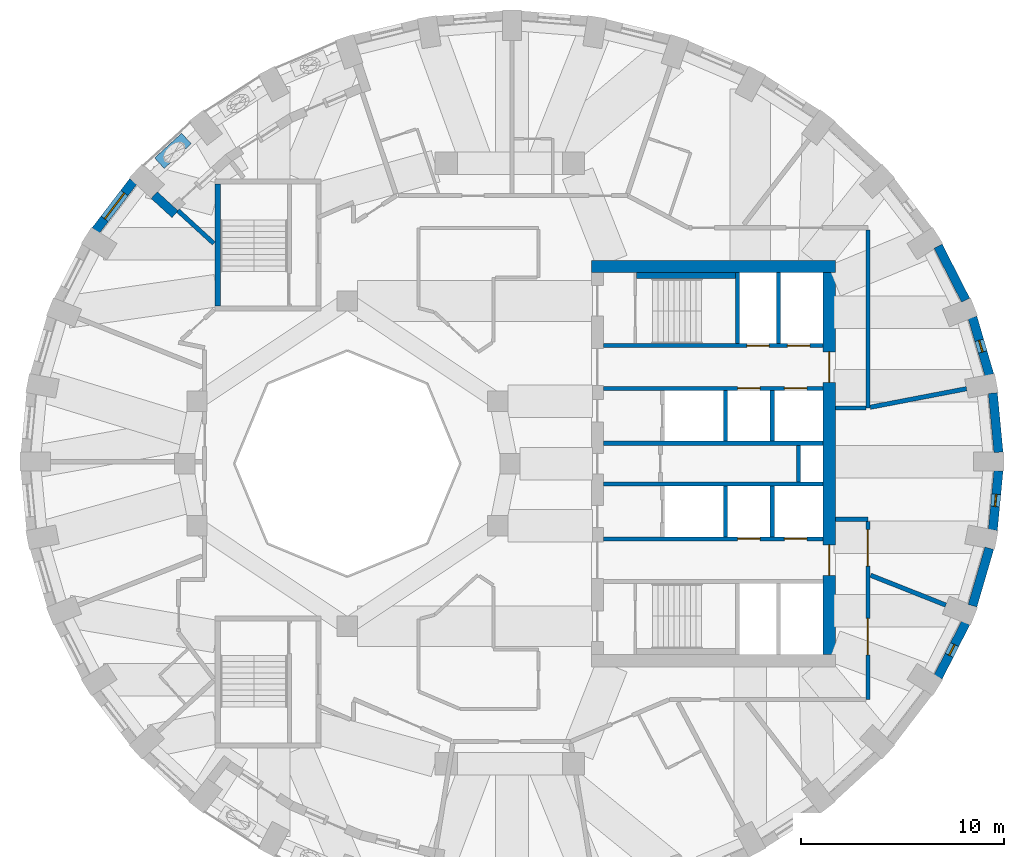
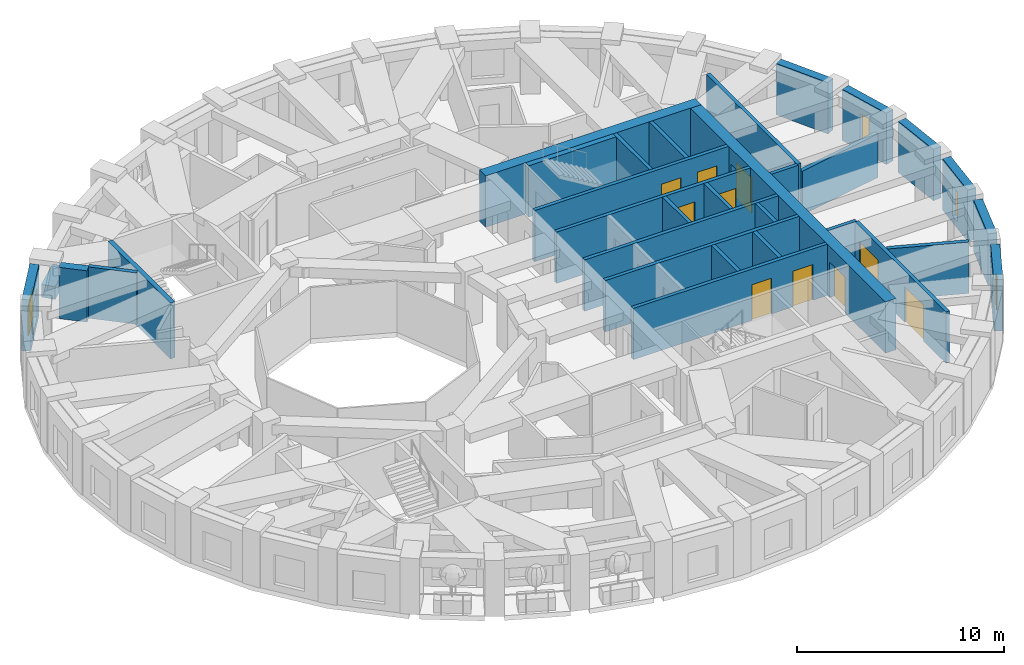
# One storey, part 6 of 12: 32 walls, 10 doors, 4 windows, 14 openings.
"""IFC4 building model written with IfcOpenShell, lengths in metres."""

from ifc_helpers import new_model, si_unit, direction, frame, frame_2d, origin, place, context, subcontext, project, spatial, rectangle, extrude, material, layer, layer_set, constituent, constituent_set, type_object, element, fill, save


model = new_model("IFC4")

# Units and contexts
model_context = context("Model", 3, precision=1e-05, world=origin(), true_north=direction((0.0, 1.0)))
body_context = subcontext(model_context, "Body", "Model", "MODEL_VIEW")
ifc_project = project(units=[si_unit("LENGTHUNIT", "METRE"), si_unit("AREAUNIT", "SQUARE_METRE"), si_unit("VOLUMEUNIT", "CUBIC_METRE"), si_unit("PLANEANGLEUNIT", "RADIAN"), si_unit("MASSUNIT", "GRAM", prefix="KILO")], contexts=[model_context])

# Site, building, storey
site_placement = place(None, origin())
site = spatial("IfcSite", under=ifc_project, at=site_placement, CompositionType="ELEMENT")
building_placement = place(site_placement, origin())
building = spatial("IfcBuilding", under=site, at=building_placement, Name="Taillehof Tower", CompositionType="ELEMENT")
storey_placement = place(building_placement, frame((0.0, 0.0, 164.89990234375)))
storey = spatial("IfcBuildingStorey", under=building, at=storey_placement, Name="L46", CompositionType="ELEMENT", Elevation=164.89990234375)

# Wall
ifc_material_1 = material(Name="Brick masonry", Category="masonry")
ifc_layer_1 = layer(ifc_material_1, 0.449951171875)
ifc_layer_set_1 = layer_set([ifc_layer_1], Name="Brick infill wall 450")
wall_type_1 = type_object("IfcWallType", Name="Brick infill wall 450", PredefinedType="SOLIDWALL", material=ifc_layer_set_1)
wall_1_placement = place(storey_placement, frame((24.030517578125, 0.55517578125, 0.0), z_axis=(0.0, 0.0, 1.0), x_axis=(-0.095265737322, 0.995451876935, 0.0)))
element("IfcWall", 1, at=wall_1_placement, inside=storey, type_object=wall_type_1, Name="Brick wall L46 bay 1", PredefinedType="SOLIDWALL", context=body_context, shape_type="SweptSolid", body=[
    extrude(rectangle(XDim=2.9267578125, YDim=0.449951171875, at=frame_2d((1.46337890625, 0.0))), origin(), (0.0, 0.0, 1.0), 3.02001953125),
])

# Wall, opening, window
wall_2_placement = place(storey_placement, frame((23.579833984375, 4.3623046875, 0.0), z_axis=(0.0, 0.0, 1.0), x_axis=(-0.281049481624, 0.959693278542, 0.0)))
wall_2 = element("IfcWall", 2, at=wall_2_placement, inside=storey, type_object=wall_type_1, Name="Brick wall L46 bay 2", PredefinedType="SOLIDWALL", context=body_context, shape_type="SweptSolid", body=[
    extrude(rectangle(XDim=2.947509765625, YDim=0.449951171875, at=frame_2d((1.4736328125, 0.0))), origin(), (0.0, 0.0, 1.0), 3.02001953125),
])
opening_1_placement = place(wall_2_placement, frame((1.173583984375, 0.0, 0.39990234375)))
opening_1 = element("IfcOpeningElement", 3, at=opening_1_placement, cuts=wall_2, Name="Opening W6", PredefinedType="OPENING", context=body_context, shape_type="SweptSolid", body=[
    extrude(rectangle(XDim=0.60009765625, YDim=1.75, at=frame_2d((0.300048828125, 0.875))), frame((0.0, 0.23486328125, 0.0), z_axis=(0.0, -1.0, 0.0), x_axis=(1.0, 0.0, 0.0)), (0.0, 0.0, 1.0), 0.469970703125),
])
ifc_material_2 = material(Name="Aluminium window frame with clear double glazing", Category="aluminium")
window_type_1 = type_object("IfcWindowType", Name="Slot window 600x1750", PartitioningType="SINGLE_PANEL", PredefinedType="WINDOW", material=ifc_material_2)
window_1_placement = place(opening_1_placement, origin())
window_1 = element("IfcWindow", 4, at=window_1_placement, inside=storey, type_object=window_type_1, Name="W6", OverallHeight=1.75, OverallWidth=0.60009765625, PartitioningType="SINGLE_PANEL", PredefinedType="WINDOW", context=body_context, shape_type="SweptSolid", body=[
    extrude(rectangle(XDim=0.60009765625, YDim=1.75, at=frame_2d((0.300048828125, 0.875))), frame((0.0, 0.034912109375, 0.0), z_axis=(0.0, -1.0, 0.0), x_axis=(1.0, 0.0, 0.0)), (0.0, 0.0, 1.0), 0.06005859375),
])
fill(opening_1, window_1)

# Wall
wall_3_placement = place(storey_placement, frame((22.415283203125, 8.036865234375, 0.0), z_axis=(0.0, 0.0, 1.0), x_axis=(-0.454133999889, 0.890933392653, 0.0)))
element("IfcWall", 5, at=wall_3_placement, inside=storey, type_object=wall_type_1, Name="Brick wall L46 bay 3", PredefinedType="SOLIDWALL", context=body_context, shape_type="SweptSolid", body=[
    extrude(rectangle(XDim=2.98583984375, YDim=0.449951171875, at=frame_2d((1.492919921875, 0.0))), origin(), (0.0, 0.0, 1.0), 3.02001953125),
])

# Wall, opening, window
wall_4_placement = place(storey_placement, frame((-18.528076171875, 13.878662109375, 0.0), z_axis=(0.0, 0.0, 1.0), x_axis=(-0.607817056371, -0.794077090706, 0.0)))
wall_4 = element("IfcWall", 6, at=wall_4_placement, inside=storey, type_object=wall_type_1, Name="Brick wall L46 bay 15", PredefinedType="SOLIDWALL", context=body_context, shape_type="SweptSolid", body=[
    extrude(rectangle(XDim=3.037109375, YDim=0.449951171875, at=frame_2d((1.5185546875, 0.0))), origin(), (0.0, 0.0, 1.0), 3.02001953125),
])
opening_2_placement = place(wall_4_placement, frame((0.718505859375, 0.0, 0.39990234375)))
opening_2 = element("IfcOpeningElement", 7, at=opening_2_placement, cuts=wall_4, Name="Opening W3", PredefinedType="OPENING", context=body_context, shape_type="SweptSolid", body=[
    extrude(rectangle(XDim=1.60009765625, YDim=1.75, at=frame_2d((0.800048828125, 0.875))), frame((0.0, 0.23486328125, 0.0), z_axis=(0.0, -1.0, 0.0), x_axis=(1.0, 0.0, 0.0)), (0.0, 0.0, 1.0), 0.469970703125),
])
ifc_material_3 = material(Name="Aluminium window frame with clear double glazing", Category="aluminium")
window_type_2 = type_object("IfcWindowType", Name="Deep-set window 1600x1750", PartitioningType="SINGLE_PANEL", PredefinedType="WINDOW", material=ifc_material_3)
window_2_placement = place(opening_2_placement, origin())
window_2 = element("IfcWindow", 8, at=window_2_placement, inside=storey, type_object=window_type_2, Name="W3", OverallHeight=1.75, OverallWidth=1.60009765625, PartitioningType="SINGLE_PANEL", PredefinedType="WINDOW", context=body_context, shape_type="SweptSolid", body=[
    extrude(rectangle(XDim=1.60009765625, YDim=1.75, at=frame_2d((0.800048828125, 0.875))), frame((0.0, 0.034912109375, 0.0), z_axis=(0.0, -1.0, 0.0), x_axis=(1.0, 0.0, 0.0)), (0.0, 0.0, 1.0), 0.06005859375),
])
fill(opening_2, window_2)

wall_5_placement = place(storey_placement, frame((21.059326171875, -10.4970703125, 0.0), z_axis=(0.0, 0.0, 1.0), x_axis=(0.454133999889, 0.890933392653, 0.0)))
wall_5 = element("IfcWall", 9, at=wall_5_placement, inside=storey, type_object=wall_type_1, Name="Brick wall L46 bay 34", PredefinedType="SOLIDWALL", context=body_context, shape_type="SweptSolid", body=[
    extrude(rectangle(XDim=2.98583984375, YDim=0.449951171875, at=frame_2d((1.492919921875, 0.0))), origin(), (0.0, 0.0, 1.0), 3.02001953125),
])
opening_3_placement = place(wall_5_placement, frame((1.19287109375, 0.0, 0.39990234375)))
opening_3 = element("IfcOpeningElement", 10, at=opening_3_placement, cuts=wall_5, Name="Opening W6", PredefinedType="OPENING", context=body_context, shape_type="SweptSolid", body=[
    extrude(rectangle(XDim=0.60009765625, YDim=1.75, at=frame_2d((0.300048828125, 0.875))), frame((0.0, 0.23486328125, 0.0), z_axis=(0.0, -1.0, 0.0), x_axis=(1.0, 0.0, 0.0)), (0.0, 0.0, 1.0), 0.469970703125),
])
window_3_placement = place(opening_3_placement, origin())
window_3 = element("IfcWindow", 11, at=window_3_placement, inside=storey, type_object=window_type_1, Name="W6", OverallHeight=1.75, OverallWidth=0.60009765625, PartitioningType="SINGLE_PANEL", PredefinedType="WINDOW", context=body_context, shape_type="SweptSolid", body=[
    extrude(rectangle(XDim=0.60009765625, YDim=1.75, at=frame_2d((0.300048828125, 0.875))), frame((0.0, 0.034912109375, 0.0), z_axis=(0.0, -1.0, 0.0), x_axis=(1.0, 0.0, 0.0)), (0.0, 0.0, 1.0), 0.06005859375),
])
fill(opening_3, window_3)

# Wall
wall_6_placement = place(storey_placement, frame((22.75146484375, -6.990966796875, 0.0), z_axis=(0.0, 0.0, 1.0), x_axis=(0.281049481624, 0.959693278542, 0.0)))
element("IfcWall", 12, at=wall_6_placement, inside=storey, type_object=wall_type_1, Name="Brick wall L46 bay 35", PredefinedType="SOLIDWALL", context=body_context, shape_type="SweptSolid", body=[
    extrude(rectangle(XDim=2.947509765625, YDim=0.449951171875, at=frame_2d((1.4736328125, 0.0))), origin(), (0.0, 0.0, 1.0), 3.02001953125),
])

# Wall, opening, window
wall_7_placement = place(storey_placement, frame((23.751708984375, -3.2685546875, 0.0), z_axis=(0.0, 0.0, 1.0), x_axis=(0.095257827044, 0.995452633924, 0.0)))
wall_7 = element("IfcWall", 13, at=wall_7_placement, inside=storey, type_object=wall_type_1, Name="Brick wall L46 bay 36", PredefinedType="SOLIDWALL", context=body_context, shape_type="SweptSolid", body=[
    extrude(rectangle(XDim=2.927001953125, YDim=0.449951171875, at=frame_2d((1.46337890625, 0.0))), origin(), (0.0, 0.0, 1.0), 3.02001953125),
])
opening_4_placement = place(wall_7_placement, frame((1.163330078125, 0.0, 0.39990234375)))
opening_4 = element("IfcOpeningElement", 14, at=opening_4_placement, cuts=wall_7, Name="Opening W6", PredefinedType="OPENING", context=body_context, shape_type="SweptSolid", body=[
    extrude(rectangle(XDim=0.60009765625, YDim=1.75, at=frame_2d((0.300048828125, 0.875))), frame((0.0, 0.23486328125, 0.0), z_axis=(0.0, -1.0, 0.0), x_axis=(1.0, 0.0, 0.0)), (0.0, 0.0, 1.0), 0.469970703125),
])
window_4_placement = place(opening_4_placement, origin())
window_4 = element("IfcWindow", 15, at=window_4_placement, inside=storey, type_object=window_type_1, Name="W6", OverallHeight=1.75, OverallWidth=0.60009765625, PartitioningType="SINGLE_PANEL", PredefinedType="WINDOW", context=body_context, shape_type="SweptSolid", body=[
    extrude(rectangle(XDim=0.60009765625, YDim=1.75, at=frame_2d((0.300048828125, 0.875))), frame((0.0, 0.034912109375, 0.0), z_axis=(0.0, -1.0, 0.0), x_axis=(1.0, 0.0, 0.0)), (0.0, 0.0, 1.0), 0.06005859375),
])
fill(opening_4, window_4)

# Walls
wall_8_placement = place(storey_placement, frame((-17.49853515625, 13.205322265625, 0.0), z_axis=(0.0, 0.0, 1.0), x_axis=(0.737918885826, -0.674889411638, 0.0)))
element("IfcWall", 16, at=wall_8_placement, inside=storey, type_object=wall_type_1, Name="Brick reveal L46 pocket 3", PredefinedType="SOLIDWALL", context=body_context, shape_type="SweptSolid", body=[
    extrude(rectangle(XDim=1.390625, YDim=0.449951171875, at=frame_2d((0.6953125, 0.0))), origin(), (0.0, 0.0, 1.0), 3.02001953125),
])
ifc_material_4 = material(Name="Calcium silicate masonry", Category="masonry")
ifc_layer_2 = layer(ifc_material_4, 0.199951171875)
ifc_layer_set_2 = layer_set([ifc_layer_2], Name="Compartment wall calcium silicate 200")
wall_type_2 = type_object("IfcWallType", Name="Compartment wall calcium silicate 200", PredefinedType="PARTITIONING", material=ifc_layer_set_2)
wall_9_placement = place(storey_placement, frame((14.199951171875, -0.89990234375, 0.0), z_axis=(0.0, 0.0, 1.0), x_axis=(0.0, 1.0, 0.0)))
element("IfcWall", 17, at=wall_9_placement, inside=storey, type_object=wall_type_2, Name="Compartment wall FW", PredefinedType="PARTITIONING", context=body_context, shape_type="SweptSolid", body=[
    extrude(rectangle(XDim=1.7998046875, YDim=0.199951171875, at=frame_2d((0.89990234375, 0.0))), origin(), (0.0, 0.0, 1.0), 3.02001953125),
])
ifc_material_5 = material(Name="Gypsum board on steel studs, two layers each side", Category="steel")
ifc_layer_3 = layer(ifc_material_5, 0.199951171875)
ifc_layer_set_3 = layer_set([ifc_layer_3], Name="Compartment wall corridor 200")
wall_type_3 = type_object("IfcWallType", Name="Compartment wall corridor 200", PredefinedType="PARTITIONING", material=ifc_layer_set_3)
wall_10_placement = place(storey_placement, frame((17.60009765625, 11.5, 0.0), z_axis=(0.0, 0.0, 1.0), x_axis=(0.0, -1.0, 0.0)))
element("IfcWall", 18, at=wall_10_placement, inside=storey, type_object=wall_type_3, Name="Compartment wall", PredefinedType="PARTITIONING", context=body_context, shape_type="SweptSolid", body=[
    extrude(rectangle(XDim=8.76220703125, YDim=0.199951171875, at=frame_2d((4.381103515625, 0.0))), origin(), (0.0, 0.0, 1.0), 3.02001953125),
])
wall_11_placement = place(storey_placement, frame((17.5, 2.73779296875, 0.0), z_axis=(0.0, 0.0, 1.0), x_axis=(-1.0, 0.0, 0.0)))
element("IfcWall", 19, at=wall_11_placement, inside=storey, type_object=wall_type_3, Name="Compartment wall", PredefinedType="PARTITIONING", context=body_context, shape_type="SweptSolid", body=[
    extrude(rectangle(XDim=1.49609375, YDim=0.199951171875, at=frame_2d((0.748046875, 0.0))), origin(), (0.0, 0.0, 1.0), 3.02001953125),
])
wall_12_placement = place(storey_placement, frame((16.00390625, -2.73779296875, 0.0), z_axis=(0.0, 0.0, 1.0), x_axis=(1.0, 0.0, 0.0)))
element("IfcWall", 20, at=wall_12_placement, inside=storey, type_object=wall_type_3, Name="Compartment wall", PredefinedType="PARTITIONING", context=body_context, shape_type="SweptSolid", body=[
    extrude(rectangle(XDim=1.59619140625, YDim=0.199951171875, at=frame_2d((0.798095703125, 0.0))), origin(), (0.0, 0.0, 1.0), 3.02001953125),
])

# Wall, openings, doors
wall_13_placement = place(storey_placement, frame((17.60009765625, -2.837890625, 0.0), z_axis=(0.0, 0.0, 1.0), x_axis=(0.0, -1.0, 0.0)))
wall_13 = element("IfcWall", 21, at=wall_13_placement, inside=storey, type_object=wall_type_3, Name="Compartment wall", PredefinedType="PARTITIONING", context=body_context, shape_type="SweptSolid", body=[
    extrude(rectangle(XDim=8.76220703125, YDim=0.199951171875, at=frame_2d((4.381103515625, 0.0))), origin(), (0.0, 0.0, 1.0), 3.02001953125),
])
opening_5_placement = place(wall_13_placement, frame((4.775146484375, 0.0, 0.0)))
opening_5 = element("IfcOpeningElement", 22, at=opening_5_placement, cuts=wall_13, Name="Opening D4657", PredefinedType="OPENING", context=body_context, shape_type="SweptSolid", body=[
    extrude(rectangle(XDim=1.800048828125, YDim=2.10009765625, at=frame_2d((0.89990234375, 1.050048828125))), frame((0.0, 0.10986328125, 0.0), z_axis=(0.0, -1.0, 0.0), x_axis=(1.0, 0.0, 0.0)), (0.0, 0.0, 1.0), 0.219970703125),
])
opening_6_placement = place(wall_13_placement, frame((0.40478515625, 0.0, 0.0)))
opening_6 = element("IfcOpeningElement", 23, at=opening_6_placement, cuts=wall_13, Name="Opening D4658", PredefinedType="OPENING", context=body_context, shape_type="SweptSolid", body=[
    extrude(rectangle(XDim=1.800048828125, YDim=2.10009765625, at=frame_2d((0.89990234375, 1.050048828125))), frame((0.0, 0.10986328125, 0.0), z_axis=(0.0, -1.0, 0.0), x_axis=(1.0, 0.0, 0.0)), (0.0, 0.0, 1.0), 0.219970703125),
])
ifc_material_6 = material(Name="Timber door leaf in steel frame", Category="steel")
door_type_1 = type_object("IfcDoorType", Name="Lounge and meeting room double door EI 30 1800 x 2100", OperationType="SINGLE_SWING_LEFT", PredefinedType="DOOR", material=ifc_material_6)
door_1_placement = place(opening_5_placement, origin())
door_1 = element("IfcDoor", 24, at=door_1_placement, inside=storey, type_object=door_type_1, Name="D4657", OperationType="DOUBLE_DOOR_SINGLE_SWING", OverallHeight=2.10009765625, OverallWidth=1.800048828125, PredefinedType="DOOR", context=body_context, shape_type="SweptSolid", body=[
    extrude(rectangle(XDim=1.800048828125, YDim=2.10009765625, at=frame_2d((0.89990234375, 1.050048828125))), frame((0.0, 0.02490234375, 0.0), z_axis=(0.0, -1.0, 0.0), x_axis=(1.0, 0.0, 0.0)), (0.0, 0.0, 1.0), 0.050048828125),
])
fill(opening_5, door_1)
door_2_placement = place(opening_6_placement, origin())
door_2 = element("IfcDoor", 25, at=door_2_placement, inside=storey, type_object=door_type_1, Name="D4658", OperationType="DOUBLE_DOOR_SINGLE_SWING", OverallHeight=2.10009765625, OverallWidth=1.800048828125, PredefinedType="DOOR", context=body_context, shape_type="SweptSolid", body=[
    extrude(rectangle(XDim=1.800048828125, YDim=2.10009765625, at=frame_2d((0.89990234375, 1.050048828125))), frame((0.0, 0.02490234375, 0.0), z_axis=(0.0, -1.0, 0.0), x_axis=(1.0, 0.0, 0.0)), (0.0, 0.0, 1.0), 0.050048828125),
])
fill(opening_6, door_2)

# Walls
ifc_material_7 = material(Name="Gypsum board on double steel studs with mineral wool", Category="steel")
ifc_layer_4 = layer(ifc_material_7, 0.219970703125)
ifc_layer_set_4 = layer_set([ifc_layer_4], Name="Compartment wall guest room 220")
wall_type_4 = type_object("IfcWallType", Name="Compartment wall guest room 220", PredefinedType="PARTITIONING", material=ifc_layer_set_4)
wall_14_placement = place(storey_placement, frame((22.457275390625, 3.68310546875, 0.0), z_axis=(0.0, 0.0, 1.0), x_axis=(-0.982022686577, -0.188762928159, 0.0)))
element("IfcWall", 26, at=wall_14_placement, inside=storey, type_object=wall_type_4, Name="Compartment wall", PredefinedType="PARTITIONING", context=body_context, shape_type="SweptSolid", body=[
    extrude(rectangle(XDim=4.82421875, YDim=0.219970703125, at=frame_2d((2.412109375, 0.0))), origin(), (0.0, 0.0, 1.0), 2.570068359375),
])
wall_15_placement = place(storey_placement, frame((-16.333984375, 12.445068359375, 0.0), z_axis=(0.0, 0.0, 1.0), x_axis=(0.737857346278, -0.674956692347, 0.0)))
element("IfcWall", 27, at=wall_15_placement, inside=storey, type_object=wall_type_4, Name="Compartment wall", PredefinedType="PARTITIONING", context=body_context, shape_type="SweptSolid", body=[
    extrude(rectangle(XDim=2.390869140625, YDim=0.219970703125, at=frame_2d((1.1953125, 0.0))), origin(), (0.0, 0.0, 1.0), 3.02001953125),
])
wall_16_placement = place(storey_placement, frame((21.438720703125, -6.959716796875, 0.0), z_axis=(0.0, 0.0, 1.0), x_axis=(-0.929517399972, 0.368778257426, 0.0)))
element("IfcWall", 28, at=wall_16_placement, inside=storey, type_object=wall_type_4, Name="Compartment wall", PredefinedType="PARTITIONING", context=body_context, shape_type="SweptSolid", body=[
    extrude(rectangle(XDim=3.982177734375, YDim=0.219970703125, at=frame_2d((1.9912109375, 0.0))), origin(), (0.0, 0.0, 1.0), 3.02001953125),
])
ifc_material_8 = material(Name="Calcium silicate masonry", Category="masonry")
ifc_layer_5 = layer(ifc_material_8, 0.300048828125)
ifc_layer_set_5 = layer_set([ifc_layer_5], Name="Compartment wall lining calcium silicate 300")
wall_type_5 = type_object("IfcWallType", Name="Compartment wall lining calcium silicate 300", PredefinedType="PARTITIONING", material=ifc_layer_set_5)
wall_17_placement = place(storey_placement, frame((6.219970703125, 9.25, 0.0), z_axis=(0.0, 0.0, 1.0), x_axis=(1.0, 0.0, 0.0)))
element("IfcWall", 29, at=wall_17_placement, inside=storey, type_object=wall_type_5, Name="Compartment wall FW", PredefinedType="PARTITIONING", context=body_context, shape_type="SweptSolid", body=[
    extrude(rectangle(XDim=4.880126953125, YDim=0.300048828125, at=frame_2d((2.43994140625, 0.0))), origin(), (0.0, 0.0, 1.0), 3.02001953125),
])

# Wall, openings, doors
ifc_material_9 = material(Name="Concrete C80/95", Category="concrete")
ifc_layer_6 = layer(ifc_material_9, 0.60009765625)
ifc_layer_set_6 = layer_set([ifc_layer_6], Name="Core wall C80/95 600")
wall_type_6 = type_object("IfcWallType", Name="Core wall C80/95 600", PredefinedType="SHEAR", material=ifc_layer_set_6)
wall_18_placement = place(storey_placement, frame((15.699951171875, -9.39990234375, 0.0), z_axis=(0.0, 0.0, 1.0), x_axis=(0.0, 1.0, 0.0)))
wall_18 = element("IfcWall", 30, at=wall_18_placement, inside=storey, type_object=wall_type_6, Name="Core wall CW05", PredefinedType="SHEAR", context=body_context, shape_type="SweptSolid", body=[
    extrude(rectangle(XDim=18.7998046875, YDim=0.60009765625, at=frame_2d((9.39990234375, 0.0))), origin(), (0.0, 0.0, 1.0), 3.02001953125),
])
opening_7_placement = place(wall_18_placement, frame((13.39990234375, 0.0, 0.0)))
opening_7 = element("IfcOpeningElement", 31, at=opening_7_placement, cuts=wall_18, Name="Opening D4608", PredefinedType="OPENING", context=body_context, shape_type="SweptSolid", body=[
    extrude(rectangle(XDim=1.5, YDim=2.10009765625, at=frame_2d((0.75, 1.050048828125))), frame((0.0, 0.31005859375, 0.0), z_axis=(0.0, -1.0, 0.0), x_axis=(1.0, 0.0, 0.0)), (0.0, 0.0, 1.0), 0.6201171875),
])
opening_8_placement = place(wall_18_placement, frame((3.89990234375, 0.0, 0.0)))
opening_8 = element("IfcOpeningElement", 32, at=opening_8_placement, cuts=wall_18, Name="Opening D4609", PredefinedType="OPENING", context=body_context, shape_type="SweptSolid", body=[
    extrude(rectangle(XDim=1.5, YDim=2.10009765625, at=frame_2d((0.75, 1.050048828125))), frame((0.0, 0.31005859375, 0.0), z_axis=(0.0, -1.0, 0.0), x_axis=(1.0, 0.0, 0.0)), (0.0, 0.0, 1.0), 0.6201171875),
])
ifc_material_10 = material(Name="Steel-faced fire door", Category="steel")
door_type_2 = type_object("IfcDoorType", Name="Lift lobby east door 1500x2100", OperationType="DOUBLE_DOOR_SINGLE_SWING", PredefinedType="DOOR", material=ifc_material_10)
door_3_placement = place(opening_7_placement, origin())
door_3 = element("IfcDoor", 33, at=door_3_placement, inside=storey, type_object=door_type_2, Name="Lift lobby east door north", OperationType="DOUBLE_DOOR_SINGLE_SWING", OverallHeight=2.10009765625, OverallWidth=1.5, PredefinedType="DOOR", context=body_context, shape_type="SweptSolid", body=[
    extrude(rectangle(XDim=1.5, YDim=2.10009765625, at=frame_2d((0.75, 1.050048828125))), frame((0.0, 0.02490234375, 0.0), z_axis=(0.0, -1.0, 0.0), x_axis=(1.0, 0.0, 0.0)), (0.0, 0.0, 1.0), 0.050048828125),
])
fill(opening_7, door_3)
door_4_placement = place(opening_8_placement, origin())
door_4 = element("IfcDoor", 34, at=door_4_placement, inside=storey, type_object=door_type_2, Name="Lift lobby east door south", OperationType="DOUBLE_DOOR_SINGLE_SWING", OverallHeight=2.10009765625, OverallWidth=1.5, PredefinedType="DOOR", context=body_context, shape_type="SweptSolid", body=[
    extrude(rectangle(XDim=1.5, YDim=2.10009765625, at=frame_2d((0.75, 1.050048828125))), frame((0.0, 0.02490234375, 0.0), z_axis=(0.0, -1.0, 0.0), x_axis=(1.0, 0.0, 0.0)), (0.0, 0.0, 1.0), 0.050048828125),
])
fill(opening_8, door_4)

# Walls
wall_19_placement = place(storey_placement, frame((4.0, 9.699951171875, 0.0), z_axis=(0.0, 0.0, 1.0), x_axis=(1.0, 0.0, 0.0)))
element("IfcWall", 35, at=wall_19_placement, inside=storey, type_object=wall_type_6, Name="Core wall CW06", PredefinedType="SHEAR", context=body_context, shape_type="SweptSolid", body=[
    extrude(rectangle(XDim=12.0, YDim=0.60009765625, at=frame_2d((6.0, 0.0))), origin(), (0.0, 0.0, 1.0), 3.02001953125),
])
ifc_material_11 = material(Name="Concrete C30/37 precast", Category="concrete")
ifc_constituent_1 = constituent(ifc_material_11, Name="Structure", Category="concrete")
ifc_material_12 = material(Name="Insulated lining")
ifc_constituent_2 = constituent(ifc_material_12, Name="Lining")
ifc_constituent_set = constituent_set(constituents=[ifc_constituent_1, ifc_constituent_2], Name="Planter trough 700x750")
wall_type_7 = type_object("IfcWallType", Name="Planter trough 700x750", PredefinedType="USERDEFINED", material=ifc_constituent_set)
wall_20_placement = place(storey_placement, frame((-15.91552734375, 15.9912109375, 0.0), z_axis=(0.0, 0.0, 1.0), x_axis=(-0.737874397391, -0.674938051731, 0.0)))
element("IfcWall", 36, at=wall_20_placement, inside=storey, type_object=wall_type_7, Name="Planter L46 bay 14", ObjectType="PLANTER", PredefinedType="USERDEFINED", context=body_context, shape_type="SweptSolid", body=[
    extrude(rectangle(XDim=1.800048828125, YDim=0.699951171875, at=frame_2d((0.89990234375, 0.0))), origin(), (0.0, 0.0, 1.0), 0.75),
])

# Wall, openings, doors
ifc_material_13 = material(Name="Concrete C50/60", Category="concrete")
ifc_layer_7 = layer(ifc_material_13, 0.199951171875)
ifc_layer_set_7 = layer_set([ifc_layer_7], Name="Shaft wall C50/60 200")
wall_type_8 = type_object("IfcWallType", Name="Shaft wall C50/60 200", PredefinedType="SHEAR", material=ifc_layer_set_7)
wall_21_placement = place(storey_placement, frame((4.60009765625, 5.800048828125, 0.0), z_axis=(0.0, 0.0, 1.0), x_axis=(1.0, 0.0, 0.0)))
wall_21 = element("IfcWall", 37, at=wall_21_placement, inside=storey, type_object=wall_type_8, Name="Shaft wall SW", PredefinedType="SHEAR", context=body_context, shape_type="SweptSolid", body=[
    extrude(rectangle(XDim=10.7998046875, YDim=0.199951171875, at=frame_2d((5.39990234375, 0.0))), origin(), (0.0, 0.0, 1.0), 3.02001953125),
])
opening_9_placement = place(wall_21_placement, frame((7.050048828125, 0.0, 0.0)))
opening_9 = element("IfcOpeningElement", 38, at=opening_9_placement, cuts=wall_21, Name="Opening LD1", PredefinedType="OPENING", context=body_context, shape_type="SweptSolid", body=[
    extrude(rectangle(XDim=1.10009765625, YDim=2.10009765625, at=frame_2d((0.550048828125, 1.050048828125))), frame((0.0, 0.10986328125, 0.0), z_axis=(0.0, -1.0, 0.0), x_axis=(1.0, 0.0, 0.0)), (0.0, 0.0, 1.0), 0.219970703125),
])
opening_10_placement = place(wall_21_placement, frame((9.050048828125, 0.0, 0.0)))
opening_10 = element("IfcOpeningElement", 39, at=opening_10_placement, cuts=wall_21, Name="Opening LD1", PredefinedType="OPENING", context=body_context, shape_type="SweptSolid", body=[
    extrude(rectangle(XDim=1.10009765625, YDim=2.10009765625, at=frame_2d((0.550048828125, 1.050048828125))), frame((0.0, 0.10986328125, 0.0), z_axis=(0.0, -1.0, 0.0), x_axis=(1.0, 0.0, 0.0)), (0.0, 0.0, 1.0), 0.219970703125),
])
ifc_material_14 = material(Name="Stainless steel", Category="steel")
door_type_3 = type_object("IfcDoorType", Name="Lift landing door LD1 1100x2100", OperationType="DOUBLE_DOOR_SLIDING", PredefinedType="DOOR", material=ifc_material_14)
door_5_placement = place(opening_9_placement, origin())
door_5 = element("IfcDoor", 40, at=door_5_placement, inside=storey, type_object=door_type_3, Name="Landing door HR1", OperationType="DOUBLE_DOOR_SLIDING", OverallHeight=2.10009765625, OverallWidth=1.10009765625, PredefinedType="DOOR", context=body_context, shape_type="SweptSolid", body=[
    extrude(rectangle(XDim=1.10009765625, YDim=2.10009765625, at=frame_2d((0.550048828125, 1.050048828125))), frame((0.0, 0.02490234375, 0.0), z_axis=(0.0, -1.0, 0.0), x_axis=(1.0, 0.0, 0.0)), (0.0, 0.0, 1.0), 0.050048828125),
])
fill(opening_9, door_5)
door_6_placement = place(opening_10_placement, origin())
door_6 = element("IfcDoor", 41, at=door_6_placement, inside=storey, type_object=door_type_3, Name="Landing door HR2", OperationType="DOUBLE_DOOR_SLIDING", OverallHeight=2.10009765625, OverallWidth=1.10009765625, PredefinedType="DOOR", context=body_context, shape_type="SweptSolid", body=[
    extrude(rectangle(XDim=1.10009765625, YDim=2.10009765625, at=frame_2d((0.550048828125, 1.050048828125))), frame((0.0, 0.02490234375, 0.0), z_axis=(0.0, -1.0, 0.0), x_axis=(1.0, 0.0, 0.0)), (0.0, 0.0, 1.0), 0.050048828125),
])
fill(opening_10, door_6)

wall_22_placement = place(storey_placement, frame((4.60009765625, 3.699951171875, 0.0), z_axis=(0.0, 0.0, 1.0), x_axis=(1.0, 0.0, 0.0)))
wall_22 = element("IfcWall", 42, at=wall_22_placement, inside=storey, type_object=wall_type_8, Name="Shaft wall SW", PredefinedType="SHEAR", context=body_context, shape_type="SweptSolid", body=[
    extrude(rectangle(XDim=10.7998046875, YDim=0.199951171875, at=frame_2d((5.39990234375, 0.0))), origin(), (0.0, 0.0, 1.0), 3.02001953125),
])
opening_11_placement = place(wall_22_placement, frame((6.60009765625, 0.0, 0.0)))
opening_11 = element("IfcOpeningElement", 43, at=opening_11_placement, cuts=wall_22, Name="Opening LD1", PredefinedType="OPENING", context=body_context, shape_type="SweptSolid", body=[
    extrude(rectangle(XDim=1.10009765625, YDim=2.10009765625, at=frame_2d((0.550048828125, 1.050048828125))), frame((0.0, 0.10986328125, 0.0), z_axis=(0.0, -1.0, 0.0), x_axis=(1.0, 0.0, 0.0)), (0.0, 0.0, 1.0), 0.219970703125),
])
opening_12_placement = place(wall_22_placement, frame((8.89990234375, 0.0, 0.0)))
opening_12 = element("IfcOpeningElement", 44, at=opening_12_placement, cuts=wall_22, Name="Opening LD1", PredefinedType="OPENING", context=body_context, shape_type="SweptSolid", body=[
    extrude(rectangle(XDim=1.10009765625, YDim=2.10009765625, at=frame_2d((0.550048828125, 1.050048828125))), frame((0.0, 0.10986328125, 0.0), z_axis=(0.0, -1.0, 0.0), x_axis=(1.0, 0.0, 0.0)), (0.0, 0.0, 1.0), 0.219970703125),
])
door_7_placement = place(opening_11_placement, origin())
door_7 = element("IfcDoor", 45, at=door_7_placement, inside=storey, type_object=door_type_3, Name="Landing door HR3", OperationType="DOUBLE_DOOR_SLIDING", OverallHeight=2.10009765625, OverallWidth=1.10009765625, PredefinedType="DOOR", context=body_context, shape_type="SweptSolid", body=[
    extrude(rectangle(XDim=1.10009765625, YDim=2.10009765625, at=frame_2d((0.550048828125, 1.050048828125))), frame((0.0, 0.02490234375, 0.0), z_axis=(0.0, -1.0, 0.0), x_axis=(1.0, 0.0, 0.0)), (0.0, 0.0, 1.0), 0.050048828125),
])
fill(opening_11, door_7)
door_8_placement = place(opening_12_placement, origin())
door_8 = element("IfcDoor", 46, at=door_8_placement, inside=storey, type_object=door_type_3, Name="Landing door HR4", OperationType="DOUBLE_DOOR_SLIDING", OverallHeight=2.10009765625, OverallWidth=1.10009765625, PredefinedType="DOOR", context=body_context, shape_type="SweptSolid", body=[
    extrude(rectangle(XDim=1.10009765625, YDim=2.10009765625, at=frame_2d((0.550048828125, 1.050048828125))), frame((0.0, 0.02490234375, 0.0), z_axis=(0.0, -1.0, 0.0), x_axis=(1.0, 0.0, 0.0)), (0.0, 0.0, 1.0), 0.050048828125),
])
fill(opening_12, door_8)

# Walls
for number, where, z_axis, x_axis, name in (
    (47, (4.60009765625, 1.0, 0.0), (0.0, 0.0, 1.0), (1.0, 0.0, 0.0), "Shaft wall SW"),
    (48, (4.60009765625, -1.0, 0.0), (0.0, 0.0, 1.0), (1.0, 0.0, 0.0), "Shaft wall SW"),
):
    element("IfcWall", number, at=place(storey_placement, frame(where, z_axis=z_axis, x_axis=x_axis)), inside=storey, type_object=wall_type_8, Name=name, PredefinedType="SHEAR", context=body_context, shape_type="SweptSolid", body=[
        extrude(rectangle(XDim=10.7998046875, YDim=0.199951171875, at=frame_2d((5.39990234375, 0.0))), origin(), (0.0, 0.0, 1.0), 3.02001953125),
    ])

# Wall, openings, doors
wall_23_placement = place(storey_placement, frame((4.60009765625, -3.699951171875, 0.0), z_axis=(0.0, 0.0, 1.0), x_axis=(1.0, 0.0, 0.0)))
wall_23 = element("IfcWall", 49, at=wall_23_placement, inside=storey, type_object=wall_type_8, Name="Shaft wall SW", PredefinedType="SHEAR", context=body_context, shape_type="SweptSolid", body=[
    extrude(rectangle(XDim=10.7998046875, YDim=0.199951171875, at=frame_2d((5.39990234375, 0.0))), origin(), (0.0, 0.0, 1.0), 3.02001953125),
])
opening_13_placement = place(wall_23_placement, frame((6.60009765625, 0.0, 0.0)))
opening_13 = element("IfcOpeningElement", 50, at=opening_13_placement, cuts=wall_23, Name="Opening LD1", PredefinedType="OPENING", context=body_context, shape_type="SweptSolid", body=[
    extrude(rectangle(XDim=1.10009765625, YDim=2.10009765625, at=frame_2d((0.550048828125, 1.050048828125))), frame((0.0, 0.10986328125, 0.0), z_axis=(0.0, -1.0, 0.0), x_axis=(1.0, 0.0, 0.0)), (0.0, 0.0, 1.0), 0.219970703125),
])
opening_14_placement = place(wall_23_placement, frame((8.89990234375, 0.0, 0.0)))
opening_14 = element("IfcOpeningElement", 51, at=opening_14_placement, cuts=wall_23, Name="Opening LD1", PredefinedType="OPENING", context=body_context, shape_type="SweptSolid", body=[
    extrude(rectangle(XDim=1.10009765625, YDim=2.10009765625, at=frame_2d((0.550048828125, 1.050048828125))), frame((0.0, 0.10986328125, 0.0), z_axis=(0.0, -1.0, 0.0), x_axis=(1.0, 0.0, 0.0)), (0.0, 0.0, 1.0), 0.219970703125),
])
door_9_placement = place(opening_13_placement, origin())
door_9 = element("IfcDoor", 52, at=door_9_placement, inside=storey, type_object=door_type_3, Name="Landing door HR5", OperationType="DOUBLE_DOOR_SLIDING", OverallHeight=2.10009765625, OverallWidth=1.10009765625, PredefinedType="DOOR", context=body_context, shape_type="SweptSolid", body=[
    extrude(rectangle(XDim=1.10009765625, YDim=2.10009765625, at=frame_2d((0.550048828125, 1.050048828125))), frame((0.0, 0.02490234375, 0.0), z_axis=(0.0, -1.0, 0.0), x_axis=(1.0, 0.0, 0.0)), (0.0, 0.0, 1.0), 0.050048828125),
])
fill(opening_13, door_9)
door_10_placement = place(opening_14_placement, origin())
door_10 = element("IfcDoor", 53, at=door_10_placement, inside=storey, type_object=door_type_3, Name="Landing door HR6", OperationType="DOUBLE_DOOR_SLIDING", OverallHeight=2.10009765625, OverallWidth=1.10009765625, PredefinedType="DOOR", context=body_context, shape_type="SweptSolid", body=[
    extrude(rectangle(XDim=1.10009765625, YDim=2.10009765625, at=frame_2d((0.550048828125, 1.050048828125))), frame((0.0, 0.02490234375, 0.0), z_axis=(0.0, -1.0, 0.0), x_axis=(1.0, 0.0, 0.0)), (0.0, 0.0, 1.0), 0.050048828125),
])
fill(opening_14, door_10)

# Walls
for number, where, z_axis, x_axis, name in (
    (54, (11.199951171875, 5.89990234375, 0.0), (0.0, 0.0, 1.0), (0.0, 1.0, 0.0), "Shaft wall SW"),
    (55, (13.199951171875, 5.89990234375, 0.0), (0.0, 0.0, 1.0), (0.0, 1.0, 0.0), "Shaft wall SW"),
):
    element("IfcWall", number, at=place(storey_placement, frame(where, z_axis=z_axis, x_axis=x_axis)), inside=storey, type_object=wall_type_8, Name=name, PredefinedType="SHEAR", context=body_context, shape_type="SweptSolid", body=[
        extrude(rectangle(XDim=3.5, YDim=0.199951171875, at=frame_2d((1.75, 0.0))), origin(), (0.0, 0.0, 1.0), 3.02001953125),
    ])
for number, where, z_axis, x_axis, name in (
    (56, (10.60009765625, 1.10009765625, 0.0), (0.0, 0.0, 1.0), (0.0, 1.0, 0.0), "Shaft wall SW"),
    (57, (10.60009765625, -3.60009765625, 0.0), (0.0, 0.0, 1.0), (0.0, 1.0, 0.0), "Shaft wall SW"),
    (58, (12.89990234375, 1.10009765625, 0.0), (0.0, 0.0, 1.0), (0.0, 1.0, 0.0), "Shaft wall SW"),
    (59, (12.89990234375, -3.60009765625, 0.0), (0.0, 0.0, 1.0), (0.0, 1.0, 0.0), "Shaft wall SW"),
):
    element("IfcWall", number, at=place(storey_placement, frame(where, z_axis=z_axis, x_axis=x_axis)), inside=storey, type_object=wall_type_8, Name=name, PredefinedType="SHEAR", context=body_context, shape_type="SweptSolid", body=[
        extrude(rectangle(XDim=2.5, YDim=0.199951171875, at=frame_2d((1.25, 0.0))), origin(), (0.0, 0.0, 1.0), 3.02001953125),
    ])
ifc_material_15 = material(Name="Concrete C50/60", Category="concrete")
ifc_layer_8 = layer(ifc_material_15, 0.25)
ifc_layer_set_8 = layer_set([ifc_layer_8], Name="Stair wall C50/60 250")
wall_type_9 = type_object("IfcWallType", Name="Stair wall C50/60 250", PredefinedType="SHEAR", material=ifc_layer_set_8)
wall_24_placement = place(storey_placement, frame((-14.375, 7.75, -0.27978515625), z_axis=(0.0, 0.0, 1.0), x_axis=(0.0, 1.0, 0.0)))
element("IfcWall", 60, at=wall_24_placement, inside=storey, type_object=wall_type_9, Name="Stair wall SC", PredefinedType="SHEAR", context=body_context, shape_type="SweptSolid", body=[
    extrude(rectangle(XDim=6.0, YDim=0.25, at=frame_2d((3.0, 0.0))), origin(), (0.0, 0.0, 1.0), 3.2998046875),
])

save(model, "model.ifc")
